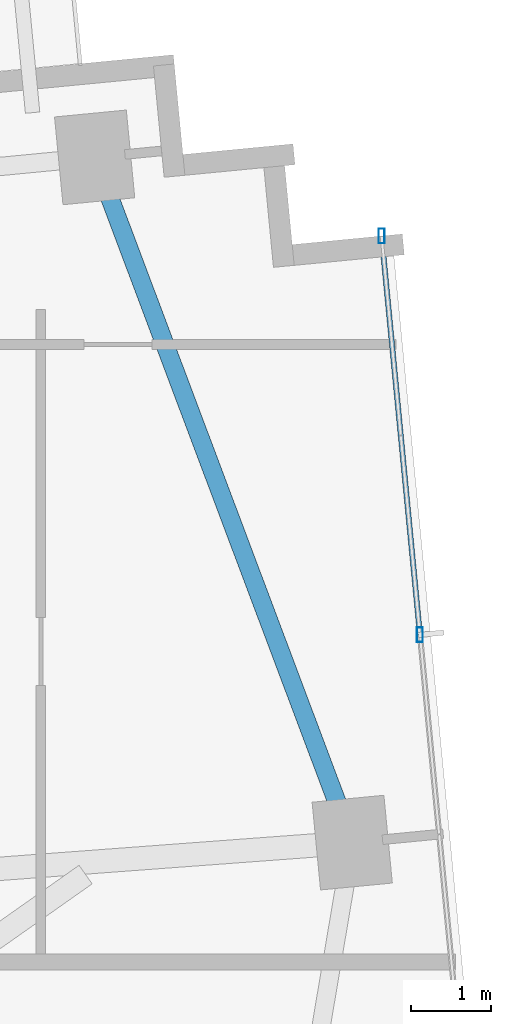
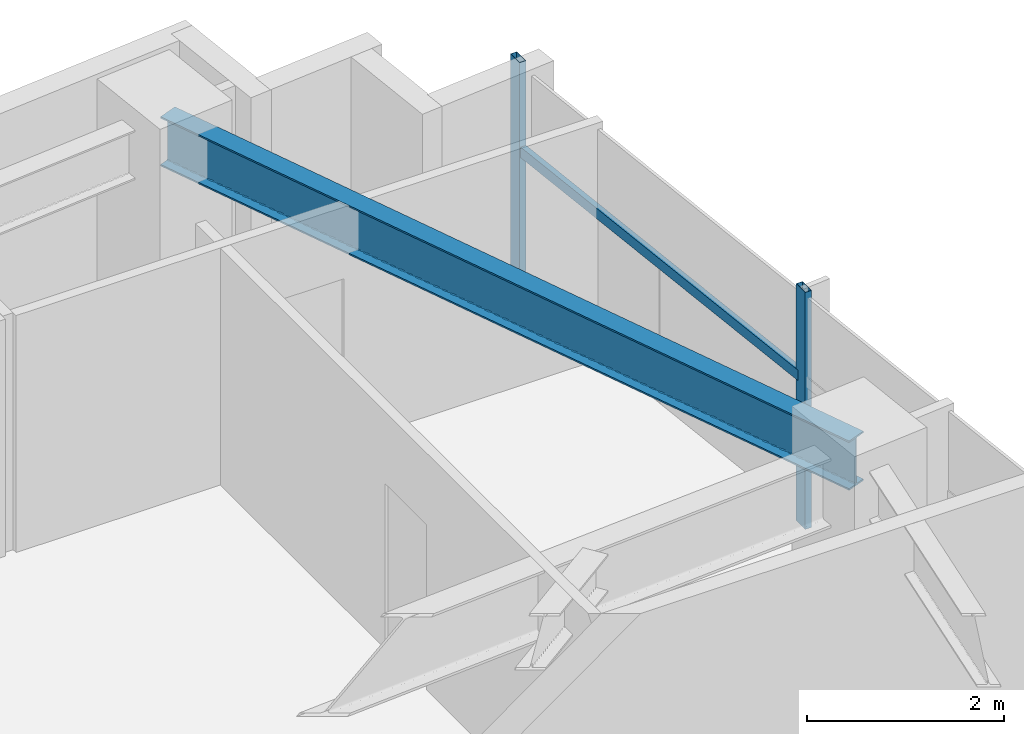
# One storey, part 19 of 27: 3 members, 1 beam, 1 element without a shape of its own.
"""IFC4 building model written with IfcOpenShell, lengths in metres."""

from ifc_helpers import new_model, si_unit, direction, frame, origin, origin_2d, place, context, subcontext, project, spatial, hollow_rectangle, i_section, extrude, source, transform, mapped, material, material_profile, profile_set, type_object, type_shapes, element, aggregate, save


model = new_model("IFC4")

# Units and contexts
model_context = context("Model", 3, precision=1e-05, world=origin(), true_north=direction((0.0, 1.0)))
body_context = subcontext(model_context, "Body", "Model", "MODEL_VIEW")
ifc_project = project(units=[si_unit("LENGTHUNIT", "METRE"), si_unit("AREAUNIT", "SQUARE_METRE"), si_unit("VOLUMEUNIT", "CUBIC_METRE"), si_unit("PLANEANGLEUNIT", "RADIAN"), si_unit("MASSUNIT", "GRAM", prefix="KILO")], contexts=[model_context])

# Site, building, storey
site_placement = place(None, origin())
site = spatial("IfcSite", under=ifc_project, at=site_placement, CompositionType="ELEMENT")
building_placement = place(site_placement, origin())
building = spatial("IfcBuilding", under=site, at=building_placement, Name="Astriad Promenade Condominiums", CompositionType="ELEMENT")
storey_placement = place(building_placement, frame((0.0, 0.0, 93.800048828125)))
storey = spatial("IfcBuildingStorey", under=building, at=storey_placement, Name="L26", CompositionType="ELEMENT", Elevation=93.800048828125)

# Beam
ifc_material_1 = material(Name="Steel ASTM A992 Grade 50", Category="steel")
ifc_material_profile_1 = material_profile(ifc_material_1, i_section(OverallWidth=0.22900390625, OverallDepth=0.612060546875, WebThickness=0.011962890625, FlangeThickness=0.01953125, FilletRadius=0.017822265625, at=origin_2d()), Name="W24X84")
ifc_profile_set_1 = profile_set([ifc_material_profile_1], Name="Steel ASTM A992 Grade 50")
beam_type = type_object("IfcBeamType", Name="STEEL SPANDREL BEAM W24X84", PredefinedType="SPANDREL", material=ifc_profile_set_1)
shared_shape_1 = source(origin(), body_context, "Body", "SweptSolid", [
    extrude(i_section(OverallWidth=0.22900390625, OverallDepth=0.612060546875, WebThickness=0.011962890625, FlangeThickness=0.01953125, FilletRadius=0.017822265625, at=origin_2d()), origin(), (0.0, 0.0, 1.0), 9.0556640625),
])
type_shapes(beam_type, [shared_shape_1])
beam_placement = place(storey_placement, frame((67.63427734375, 19.07666015625, 2.6337890625), z_axis=(-0.351856057459, 0.936054119605, 0.0), x_axis=(-0.936054119605, -0.351856057459, 0.0)))
element("IfcBeam", 1, at=beam_placement, inside=storey, type_object=beam_type, Name="Perimeter Spandrel Beam SP-E2-L26", PredefinedType="SPANDREL", context=body_context, shape_type="MappedRepresentation", body=[
    mapped(shared_shape_1, transform((0.0, 0.0, 0.0), scale=1.0)),
])

# Curtain wall, members
ifc_material_2 = material(Name="Anodised aluminium Black Dark Glass Unitised", Category="aluminium")
curtain_wall_type = type_object("IfcCurtainWallType", Name="CW-B2-DARK", PredefinedType="USERDEFINED", material=ifc_material_2)
curtain_wall_placement = place(storey_placement, origin())
curtain_wall = element("IfcCurtainWall", 2, at=curtain_wall_placement, inside=storey, type_object=curtain_wall_type, Name="CW-L26-E", ObjectType="UNITISED_CURTAIN_WALL", PredefinedType="USERDEFINED")
ifc_material_3 = material(Name="Anodised aluminium 6063-T6 Black", Category="aluminium")
ifc_material_profile_2 = material_profile(ifc_material_3, hollow_rectangle(XDim=0.074951171875, YDim=0.18505859375, WallThickness=0.00439453125, at=origin_2d()), Name="ALU-MUL-75X185")
ifc_profile_set_2 = profile_set([ifc_material_profile_2], Name="Anodised aluminium 6063-T6 Black")
member_type_1 = type_object("IfcMemberType", Name="MUL-ALU-MUL-75X185", PredefinedType="MULLION", material=ifc_profile_set_2)
shared_shape_2 = source(origin(), body_context, "Body", "SweptSolid", [
    extrude(hollow_rectangle(XDim=0.074951171875, YDim=0.18505859375, WallThickness=0.00439453125, at=origin_2d()), origin(), (0.0, 0.0, 1.0), 2.93994140625),
])
type_shapes(member_type_1, [shared_shape_2])
member_1_placement = place(storey_placement, frame((68.0146484375, 26.609130859375, 0.0), z_axis=(0.0, 0.0, 1.0), x_axis=(1.0, 0.0, 0.0)))
member_1 = element("IfcMember", 3, at=member_1_placement, type_object=member_type_1, Name="CW-L26-E-MUL-00", PredefinedType="MULLION", context=body_context, shape_type="MappedRepresentation", body=[
    mapped(shared_shape_2, transform((0.0, 0.0, 0.0), scale=1.0)),
])
member_2_placement = place(storey_placement, frame((68.493896484375, 21.632080078125, 0.0), z_axis=(0.0, 0.0, 1.0), x_axis=(1.0, 0.0, 0.0)))
member_2 = element("IfcMember", 4, at=member_2_placement, type_object=member_type_1, Name="CW-L26-E-MUL-01", PredefinedType="MULLION", context=body_context, shape_type="MappedRepresentation", body=[
    mapped(shared_shape_2, transform((0.0, 0.0, 0.0), scale=1.0)),
])
ifc_material_profile_3 = material_profile(ifc_material_3, hollow_rectangle(XDim=0.06494140625, YDim=0.1298828125, WallThickness=0.00390625, at=origin_2d()), Name="ALU-TRN-65X130")
ifc_profile_set_3 = profile_set([ifc_material_profile_3], Name="Anodised aluminium 6063-T6 Black")
member_type_2 = type_object("IfcMemberType", Name="TRN-ALU-TRN-65X130", PredefinedType="USERDEFINED", material=ifc_profile_set_3)
shared_shape_3 = source(origin(), body_context, "Body", "SweptSolid", [
    extrude(hollow_rectangle(XDim=0.06494140625, YDim=0.1298828125, WallThickness=0.00390625, at=origin_2d()), origin(), (0.0, 0.0, 1.0), 5.0),
])
type_shapes(member_type_2, [shared_shape_3])
member_3_placement = place(storey_placement, frame((68.0146484375, 26.609130859375, 1.82275390625), z_axis=(0.095848242264, -0.995395958629, 0.0), x_axis=(0.995395958629, 0.095848242264, 0.0)))
member_3 = element("IfcMember", 5, at=member_3_placement, type_object=member_type_2, Name="CW-L26-E-TRN-00-0", ObjectType="TRANSOM", PredefinedType="USERDEFINED", context=body_context, shape_type="MappedRepresentation", body=[
    mapped(shared_shape_3, transform((0.0, 0.0, 0.0), scale=1.0)),
])
aggregate(curtain_wall, [member_1, member_2, member_3])

save(model, "model.ifc")
